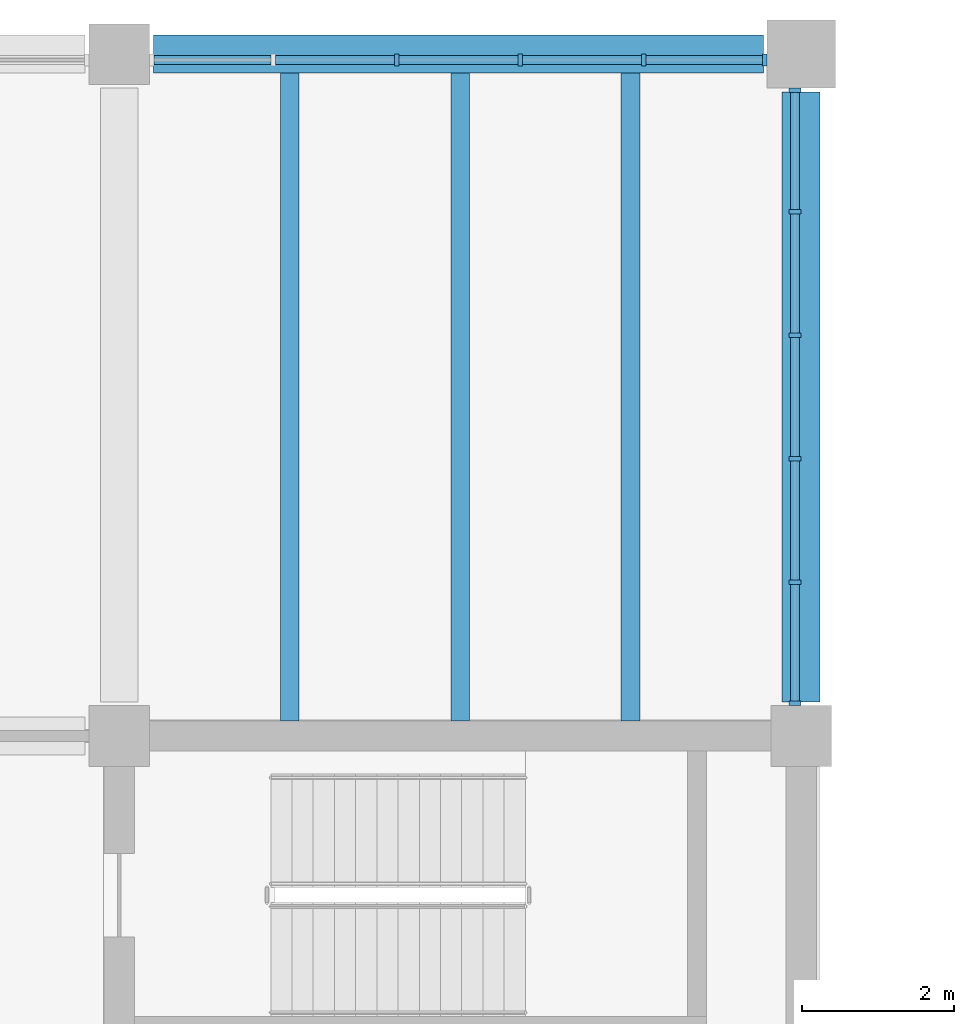
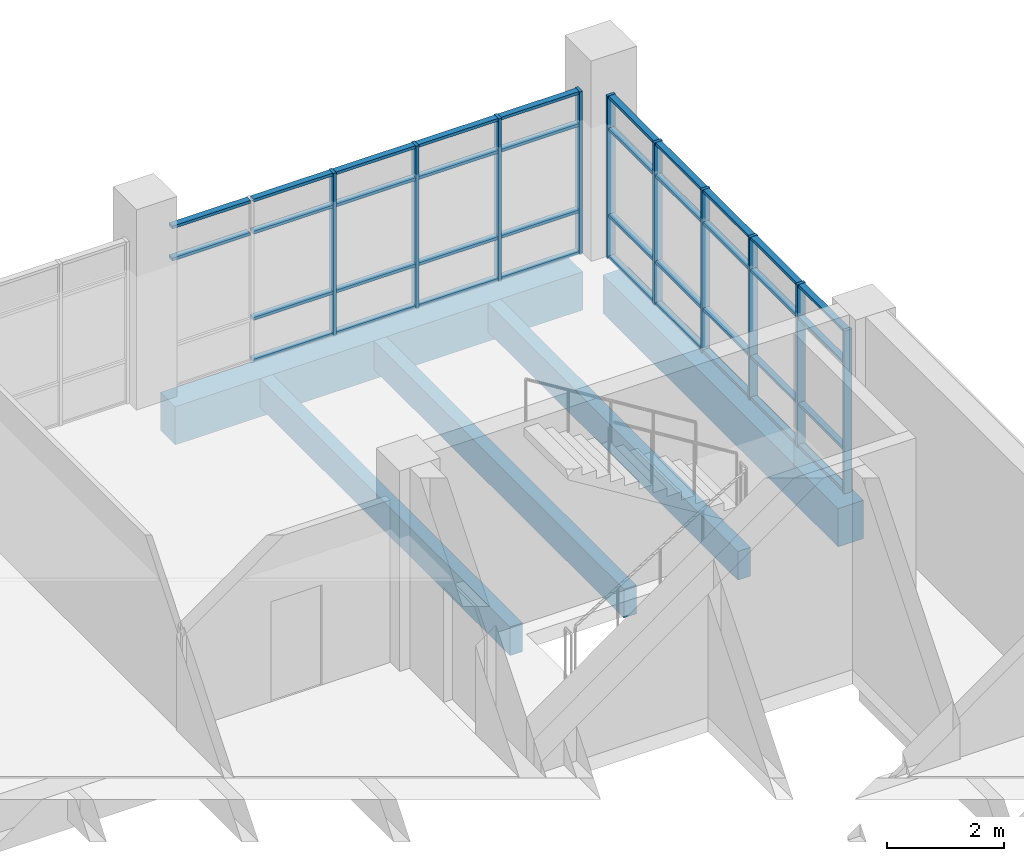
# One storey, part 20 of 50: 48 members, 5 beams, 2 elements without a shape of their own.
"""IFC4 building model written with IfcOpenShell, lengths in metres."""

from ifc_helpers import new_model, si_unit, direction, frame, origin, origin_2d, place, context, subcontext, project, spatial, rectangle, extrude, material, material_profile, profile_set, type_object, element, aggregate, save


model = new_model("IFC4")

# Units and contexts
model_context = context("Model", 3, precision=1e-05, world=origin(), true_north=direction((0.0, 1.0)))
body_context = subcontext(model_context, "Body", "Model", "MODEL_VIEW")
ifc_project = project(units=[si_unit("LENGTHUNIT", "METRE"), si_unit("AREAUNIT", "SQUARE_METRE"), si_unit("VOLUMEUNIT", "CUBIC_METRE"), si_unit("PLANEANGLEUNIT", "RADIAN"), si_unit("MASSUNIT", "GRAM", prefix="KILO")], contexts=[model_context])

# Site, building, storey
site_placement = place(None, origin())
site = spatial("IfcSite", under=ifc_project, at=site_placement, CompositionType="ELEMENT")
building_placement = place(site_placement, origin())
building = spatial("IfcBuilding", under=site, at=building_placement, Name="Merrow Basin Faculty of Sciences", CompositionType="ELEMENT")
storey_placement = place(building_placement, frame((0.0, 0.0, 18.0)))
storey = spatial("IfcBuildingStorey", under=building, at=storey_placement, Name="L04", CompositionType="ELEMENT", Elevation=18.0)

# Curtain wall, members
ifc_material_1 = material(Name="Aluminium alloy 6063", Category="aluminium")
curtain_wall_type = type_object("IfcCurtainWallType", Name="Unitised curtain wall 160", PredefinedType="NOTDEFINED", material=ifc_material_1)
curtain_wall_1_placement = place(storey_placement, origin())
curtain_wall_1 = element("IfcCurtainWall", 1, at=curtain_wall_1_placement, inside=storey, type_object=curtain_wall_type, Name="N curtain wall L04 7", PredefinedType="NOTDEFINED")
ifc_material_2 = material(Name="Aluminium alloy 6063", Category="aluminium")
ifc_material_profile_1 = material_profile(ifc_material_2, rectangle(XDim=0.159912109375, YDim=0.06005859375, at=origin_2d()))
ifc_profile_set_1 = profile_set([ifc_material_profile_1], Name="Aluminium alloy 6063")
member_type_1 = type_object("IfcMemberType", Name="Aluminium mullion 60x160", PredefinedType="MULLION", material=ifc_profile_set_1)
member_1_placement = place(storey_placement, frame((48.659912109375, 168.919921875, 0.0), z_axis=(0.0, 0.0, 1.0), x_axis=(0.0, 1.0, 0.0)))
member_1 = element("IfcMember", 2, at=member_1_placement, type_object=member_type_1, Name="CW3 mullion 3", PredefinedType="MULLION", context=body_context, shape_type="SweptSolid", body=[
    extrude(rectangle(XDim=0.159912109375, YDim=0.06005859375, at=origin_2d()), origin(), (0.0, 0.0, 1.0), 3.39990234375),
])
member_2_placement = place(storey_placement, frame((50.2900390625, 168.919921875, 0.0), z_axis=(0.0, 0.0, 1.0), x_axis=(0.0, 1.0, 0.0)))
member_2 = element("IfcMember", 3, at=member_2_placement, type_object=member_type_1, Name="CW3 mullion 4", PredefinedType="MULLION", context=body_context, shape_type="SweptSolid", body=[
    extrude(rectangle(XDim=0.159912109375, YDim=0.06005859375, at=origin_2d()), origin(), (0.0, 0.0, 1.0), 3.39990234375),
])
member_3_placement = place(storey_placement, frame((51.919921875, 168.919921875, 0.0), z_axis=(0.0, 0.0, 1.0), x_axis=(0.0, 1.0, 0.0)))
member_3 = element("IfcMember", 4, at=member_3_placement, type_object=member_type_1, Name="CW3 mullion 5", PredefinedType="MULLION", context=body_context, shape_type="SweptSolid", body=[
    extrude(rectangle(XDim=0.159912109375, YDim=0.06005859375, at=origin_2d()), origin(), (0.0, 0.0, 1.0), 3.39990234375),
])
member_4_placement = place(storey_placement, frame((53.52001953125, 168.919921875, 0.0), z_axis=(0.0, 0.0, 1.0), x_axis=(0.0, 1.0, 0.0)))
member_4 = element("IfcMember", 5, at=member_4_placement, type_object=member_type_1, Name="CW3 mullion 6", PredefinedType="MULLION", context=body_context, shape_type="SweptSolid", body=[
    extrude(rectangle(XDim=0.159912109375, YDim=0.06005859375, at=origin_2d()), origin(), (0.0, 0.0, 1.0), 3.39990234375),
])

curtain_wall_2_placement = place(storey_placement, origin())
curtain_wall_2 = element("IfcCurtainWall", 6, at=curtain_wall_2_placement, inside=storey, type_object=curtain_wall_type, Name="E curtain wall L04 1", PredefinedType="NOTDEFINED")
member_5_placement = place(storey_placement, frame((53.919921875, 160.429931640625, 0.0), z_axis=(0.0, 0.0, 1.0), x_axis=(-1.0, 0.0, 0.0)))
member_5 = element("IfcMember", 7, at=member_5_placement, type_object=member_type_1, Name="CW3 mullion 1", PredefinedType="MULLION", context=body_context, shape_type="SweptSolid", body=[
    extrude(rectangle(XDim=0.159912109375, YDim=0.06005859375, at=origin_2d()), origin(), (0.0, 0.0, 1.0), 3.39990234375),
])
member_6_placement = place(storey_placement, frame((53.919921875, 162.030029296875, 0.0), z_axis=(0.0, 0.0, 1.0), x_axis=(-1.0, 0.0, 0.0)))
member_6 = element("IfcMember", 8, at=member_6_placement, type_object=member_type_1, Name="CW3 mullion 2", PredefinedType="MULLION", context=body_context, shape_type="SweptSolid", body=[
    extrude(rectangle(XDim=0.159912109375, YDim=0.06005859375, at=origin_2d()), origin(), (0.0, 0.0, 1.0), 3.39990234375),
])
member_7_placement = place(storey_placement, frame((53.919921875, 163.659912109375, 0.0), z_axis=(0.0, 0.0, 1.0), x_axis=(-1.0, 0.0, 0.0)))
member_7 = element("IfcMember", 9, at=member_7_placement, type_object=member_type_1, Name="CW3 mullion 3", PredefinedType="MULLION", context=body_context, shape_type="SweptSolid", body=[
    extrude(rectangle(XDim=0.159912109375, YDim=0.06005859375, at=origin_2d()), origin(), (0.0, 0.0, 1.0), 3.39990234375),
])
member_8_placement = place(storey_placement, frame((53.919921875, 165.2900390625, 0.0), z_axis=(0.0, 0.0, 1.0), x_axis=(-1.0, 0.0, 0.0)))
member_8 = element("IfcMember", 10, at=member_8_placement, type_object=member_type_1, Name="CW3 mullion 4", PredefinedType="MULLION", context=body_context, shape_type="SweptSolid", body=[
    extrude(rectangle(XDim=0.159912109375, YDim=0.06005859375, at=origin_2d()), origin(), (0.0, 0.0, 1.0), 3.39990234375),
])
member_9_placement = place(storey_placement, frame((53.919921875, 166.919921875, 0.0), z_axis=(0.0, 0.0, 1.0), x_axis=(-1.0, 0.0, 0.0)))
member_9 = element("IfcMember", 11, at=member_9_placement, type_object=member_type_1, Name="CW3 mullion 5", PredefinedType="MULLION", context=body_context, shape_type="SweptSolid", body=[
    extrude(rectangle(XDim=0.159912109375, YDim=0.06005859375, at=origin_2d()), origin(), (0.0, 0.0, 1.0), 3.39990234375),
])
member_10_placement = place(storey_placement, frame((53.919921875, 168.52001953125, 0.0), z_axis=(0.0, 0.0, 1.0), x_axis=(-1.0, 0.0, 0.0)))
member_10 = element("IfcMember", 12, at=member_10_placement, type_object=member_type_1, Name="CW3 mullion 6", PredefinedType="MULLION", context=body_context, shape_type="SweptSolid", body=[
    extrude(rectangle(XDim=0.159912109375, YDim=0.06005859375, at=origin_2d()), origin(), (0.0, 0.0, 1.0), 3.39990234375),
])

# Member
ifc_material_3 = material(Name="Aluminium alloy 6063", Category="aluminium")
ifc_material_profile_2 = material_profile(ifc_material_3, rectangle(XDim=0.1201171875, YDim=0.06005859375, at=origin_2d()))
ifc_profile_set_2 = profile_set([ifc_material_profile_2], Name="Aluminium alloy 6063")
member_type_2 = type_object("IfcMemberType", Name="Aluminium transom 60x120", PredefinedType="USERDEFINED", material=ifc_profile_set_2)
member_11_placement = place(storey_placement, frame((45.4599609375, 168.919921875, 2.699951171875), z_axis=(1.0, 0.0, 0.0), x_axis=(0.0, 1.0, 0.0)))
member_11 = element("IfcMember", 13, at=member_11_placement, type_object=member_type_2, Name="CW3 transom 1.3", ObjectType="TRANSOM", PredefinedType="USERDEFINED", context=body_context, shape_type="SweptSolid", body=[
    extrude(rectangle(XDim=0.1201171875, YDim=0.06005859375, at=origin_2d()), origin(), (0.0, 0.0, 1.0), 1.5400390625),
])

member_12_placement = place(storey_placement, frame((45.4599609375, 168.919921875, 3.3701171875), z_axis=(1.0, 0.0, 0.0), x_axis=(0.0, 1.0, 0.0)))
member_12 = element("IfcMember", 14, at=member_12_placement, type_object=member_type_2, Name="CW3 transom 1.4", ObjectType="TRANSOM", PredefinedType="USERDEFINED", context=body_context, shape_type="SweptSolid", body=[
    extrude(rectangle(XDim=0.1201171875, YDim=0.06005859375, at=origin_2d()), origin(), (0.0, 0.0, 1.0), 1.5400390625),
])

member_13_placement = place(storey_placement, frame((47.06005859375, 168.919921875, 0.030029296875), z_axis=(1.0, 0.0, 0.0), x_axis=(0.0, 1.0, 0.0)))
member_13 = element("IfcMember", 15, at=member_13_placement, type_object=member_type_2, Name="CW3 transom 2.1", ObjectType="TRANSOM", PredefinedType="USERDEFINED", context=body_context, shape_type="SweptSolid", body=[
    extrude(rectangle(XDim=0.1201171875, YDim=0.06005859375, at=origin_2d()), origin(), (0.0, 0.0, 1.0), 1.56982421875),
])

member_14_placement = place(storey_placement, frame((47.06005859375, 168.919921875, 0.89990234375), z_axis=(1.0, 0.0, 0.0), x_axis=(0.0, 1.0, 0.0)))
member_14 = element("IfcMember", 16, at=member_14_placement, type_object=member_type_2, Name="CW3 transom 2.2", ObjectType="TRANSOM", PredefinedType="USERDEFINED", context=body_context, shape_type="SweptSolid", body=[
    extrude(rectangle(XDim=0.1201171875, YDim=0.06005859375, at=origin_2d()), origin(), (0.0, 0.0, 1.0), 1.56982421875),
])

member_15_placement = place(storey_placement, frame((47.06005859375, 168.919921875, 2.699951171875), z_axis=(1.0, 0.0, 0.0), x_axis=(0.0, 1.0, 0.0)))
member_15 = element("IfcMember", 17, at=member_15_placement, type_object=member_type_2, Name="CW3 transom 2.3", ObjectType="TRANSOM", PredefinedType="USERDEFINED", context=body_context, shape_type="SweptSolid", body=[
    extrude(rectangle(XDim=0.1201171875, YDim=0.06005859375, at=origin_2d()), origin(), (0.0, 0.0, 1.0), 1.56982421875),
])

member_16_placement = place(storey_placement, frame((47.06005859375, 168.919921875, 3.3701171875), z_axis=(1.0, 0.0, 0.0), x_axis=(0.0, 1.0, 0.0)))
member_16 = element("IfcMember", 18, at=member_16_placement, type_object=member_type_2, Name="CW3 transom 2.4", ObjectType="TRANSOM", PredefinedType="USERDEFINED", context=body_context, shape_type="SweptSolid", body=[
    extrude(rectangle(XDim=0.1201171875, YDim=0.06005859375, at=origin_2d()), origin(), (0.0, 0.0, 1.0), 1.56982421875),
])

member_17_placement = place(storey_placement, frame((48.68994140625, 168.919921875, 0.030029296875), z_axis=(1.0, 0.0, 0.0), x_axis=(0.0, 1.0, 0.0)))
member_17 = element("IfcMember", 19, at=member_17_placement, type_object=member_type_2, Name="CW3 transom 3.1", ObjectType="TRANSOM", PredefinedType="USERDEFINED", context=body_context, shape_type="SweptSolid", body=[
    extrude(rectangle(XDim=0.1201171875, YDim=0.06005859375, at=origin_2d()), origin(), (0.0, 0.0, 1.0), 1.570068359375),
])

member_18_placement = place(storey_placement, frame((48.68994140625, 168.919921875, 0.89990234375), z_axis=(1.0, 0.0, 0.0), x_axis=(0.0, 1.0, 0.0)))
member_18 = element("IfcMember", 20, at=member_18_placement, type_object=member_type_2, Name="CW3 transom 3.2", ObjectType="TRANSOM", PredefinedType="USERDEFINED", context=body_context, shape_type="SweptSolid", body=[
    extrude(rectangle(XDim=0.1201171875, YDim=0.06005859375, at=origin_2d()), origin(), (0.0, 0.0, 1.0), 1.570068359375),
])

member_19_placement = place(storey_placement, frame((48.68994140625, 168.919921875, 2.699951171875), z_axis=(1.0, 0.0, 0.0), x_axis=(0.0, 1.0, 0.0)))
member_19 = element("IfcMember", 21, at=member_19_placement, type_object=member_type_2, Name="CW3 transom 3.3", ObjectType="TRANSOM", PredefinedType="USERDEFINED", context=body_context, shape_type="SweptSolid", body=[
    extrude(rectangle(XDim=0.1201171875, YDim=0.06005859375, at=origin_2d()), origin(), (0.0, 0.0, 1.0), 1.570068359375),
])

member_20_placement = place(storey_placement, frame((48.68994140625, 168.919921875, 3.3701171875), z_axis=(1.0, 0.0, 0.0), x_axis=(0.0, 1.0, 0.0)))
member_20 = element("IfcMember", 22, at=member_20_placement, type_object=member_type_2, Name="CW3 transom 3.4", ObjectType="TRANSOM", PredefinedType="USERDEFINED", context=body_context, shape_type="SweptSolid", body=[
    extrude(rectangle(XDim=0.1201171875, YDim=0.06005859375, at=origin_2d()), origin(), (0.0, 0.0, 1.0), 1.570068359375),
])

member_21_placement = place(storey_placement, frame((50.320068359375, 168.919921875, 0.030029296875), z_axis=(1.0, 0.0, 0.0), x_axis=(0.0, 1.0, 0.0)))
member_21 = element("IfcMember", 23, at=member_21_placement, type_object=member_type_2, Name="CW3 transom 4.1", ObjectType="TRANSOM", PredefinedType="USERDEFINED", context=body_context, shape_type="SweptSolid", body=[
    extrude(rectangle(XDim=0.1201171875, YDim=0.06005859375, at=origin_2d()), origin(), (0.0, 0.0, 1.0), 1.56982421875),
])

member_22_placement = place(storey_placement, frame((50.320068359375, 168.919921875, 0.89990234375), z_axis=(1.0, 0.0, 0.0), x_axis=(0.0, 1.0, 0.0)))
member_22 = element("IfcMember", 24, at=member_22_placement, type_object=member_type_2, Name="CW3 transom 4.2", ObjectType="TRANSOM", PredefinedType="USERDEFINED", context=body_context, shape_type="SweptSolid", body=[
    extrude(rectangle(XDim=0.1201171875, YDim=0.06005859375, at=origin_2d()), origin(), (0.0, 0.0, 1.0), 1.56982421875),
])

member_23_placement = place(storey_placement, frame((50.320068359375, 168.919921875, 2.699951171875), z_axis=(1.0, 0.0, 0.0), x_axis=(0.0, 1.0, 0.0)))
member_23 = element("IfcMember", 25, at=member_23_placement, type_object=member_type_2, Name="CW3 transom 4.3", ObjectType="TRANSOM", PredefinedType="USERDEFINED", context=body_context, shape_type="SweptSolid", body=[
    extrude(rectangle(XDim=0.1201171875, YDim=0.06005859375, at=origin_2d()), origin(), (0.0, 0.0, 1.0), 1.56982421875),
])

member_24_placement = place(storey_placement, frame((50.320068359375, 168.919921875, 3.3701171875), z_axis=(1.0, 0.0, 0.0), x_axis=(0.0, 1.0, 0.0)))
member_24 = element("IfcMember", 26, at=member_24_placement, type_object=member_type_2, Name="CW3 transom 4.4", ObjectType="TRANSOM", PredefinedType="USERDEFINED", context=body_context, shape_type="SweptSolid", body=[
    extrude(rectangle(XDim=0.1201171875, YDim=0.06005859375, at=origin_2d()), origin(), (0.0, 0.0, 1.0), 1.56982421875),
])

member_25_placement = place(storey_placement, frame((51.949951171875, 168.919921875, 0.030029296875), z_axis=(1.0, 0.0, 0.0), x_axis=(0.0, 1.0, 0.0)))
member_25 = element("IfcMember", 27, at=member_25_placement, type_object=member_type_2, Name="CW3 transom 5.1", ObjectType="TRANSOM", PredefinedType="USERDEFINED", context=body_context, shape_type="SweptSolid", body=[
    extrude(rectangle(XDim=0.1201171875, YDim=0.06005859375, at=origin_2d()), origin(), (0.0, 0.0, 1.0), 1.5400390625),
])

member_26_placement = place(storey_placement, frame((51.949951171875, 168.919921875, 0.89990234375), z_axis=(1.0, 0.0, 0.0), x_axis=(0.0, 1.0, 0.0)))
member_26 = element("IfcMember", 28, at=member_26_placement, type_object=member_type_2, Name="CW3 transom 5.2", ObjectType="TRANSOM", PredefinedType="USERDEFINED", context=body_context, shape_type="SweptSolid", body=[
    extrude(rectangle(XDim=0.1201171875, YDim=0.06005859375, at=origin_2d()), origin(), (0.0, 0.0, 1.0), 1.5400390625),
])

member_27_placement = place(storey_placement, frame((51.949951171875, 168.919921875, 2.699951171875), z_axis=(1.0, 0.0, 0.0), x_axis=(0.0, 1.0, 0.0)))
member_27 = element("IfcMember", 29, at=member_27_placement, type_object=member_type_2, Name="CW3 transom 5.3", ObjectType="TRANSOM", PredefinedType="USERDEFINED", context=body_context, shape_type="SweptSolid", body=[
    extrude(rectangle(XDim=0.1201171875, YDim=0.06005859375, at=origin_2d()), origin(), (0.0, 0.0, 1.0), 1.5400390625),
])

member_28_placement = place(storey_placement, frame((51.949951171875, 168.919921875, 3.3701171875), z_axis=(1.0, 0.0, 0.0), x_axis=(0.0, 1.0, 0.0)))
member_28 = element("IfcMember", 30, at=member_28_placement, type_object=member_type_2, Name="CW3 transom 5.4", ObjectType="TRANSOM", PredefinedType="USERDEFINED", context=body_context, shape_type="SweptSolid", body=[
    extrude(rectangle(XDim=0.1201171875, YDim=0.06005859375, at=origin_2d()), origin(), (0.0, 0.0, 1.0), 1.5400390625),
])

aggregate(curtain_wall_1, [member_1, member_2, member_3, member_4, member_11, member_12, member_13, member_14, member_15, member_16, member_17, member_18, member_19, member_20, member_21, member_22, member_23, member_24, member_25, member_26, member_27, member_28])

member_29_placement = place(storey_placement, frame((53.919921875, 160.4599609375, 0.030029296875), z_axis=(0.0, 1.0, 0.0), x_axis=(-1.0, 0.0, 0.0)))
member_29 = element("IfcMember", 31, at=member_29_placement, type_object=member_type_2, Name="CW3 transom 1.1", ObjectType="TRANSOM", PredefinedType="USERDEFINED", context=body_context, shape_type="SweptSolid", body=[
    extrude(rectangle(XDim=0.1201171875, YDim=0.06005859375, at=origin_2d()), origin(), (0.0, 0.0, 1.0), 1.5400390625),
])

member_30_placement = place(storey_placement, frame((53.919921875, 160.4599609375, 0.89990234375), z_axis=(0.0, 1.0, 0.0), x_axis=(-1.0, 0.0, 0.0)))
member_30 = element("IfcMember", 32, at=member_30_placement, type_object=member_type_2, Name="CW3 transom 1.2", ObjectType="TRANSOM", PredefinedType="USERDEFINED", context=body_context, shape_type="SweptSolid", body=[
    extrude(rectangle(XDim=0.1201171875, YDim=0.06005859375, at=origin_2d()), origin(), (0.0, 0.0, 1.0), 1.5400390625),
])

member_31_placement = place(storey_placement, frame((53.919921875, 160.4599609375, 2.699951171875), z_axis=(0.0, 1.0, 0.0), x_axis=(-1.0, 0.0, 0.0)))
member_31 = element("IfcMember", 33, at=member_31_placement, type_object=member_type_2, Name="CW3 transom 1.3", ObjectType="TRANSOM", PredefinedType="USERDEFINED", context=body_context, shape_type="SweptSolid", body=[
    extrude(rectangle(XDim=0.1201171875, YDim=0.06005859375, at=origin_2d()), origin(), (0.0, 0.0, 1.0), 1.5400390625),
])

member_32_placement = place(storey_placement, frame((53.919921875, 160.4599609375, 3.3701171875), z_axis=(0.0, 1.0, 0.0), x_axis=(-1.0, 0.0, 0.0)))
member_32 = element("IfcMember", 34, at=member_32_placement, type_object=member_type_2, Name="CW3 transom 1.4", ObjectType="TRANSOM", PredefinedType="USERDEFINED", context=body_context, shape_type="SweptSolid", body=[
    extrude(rectangle(XDim=0.1201171875, YDim=0.06005859375, at=origin_2d()), origin(), (0.0, 0.0, 1.0), 1.5400390625),
])

member_33_placement = place(storey_placement, frame((53.919921875, 162.06005859375, 0.030029296875), z_axis=(0.0, 1.0, 0.0), x_axis=(-1.0, 0.0, 0.0)))
member_33 = element("IfcMember", 35, at=member_33_placement, type_object=member_type_2, Name="CW3 transom 2.1", ObjectType="TRANSOM", PredefinedType="USERDEFINED", context=body_context, shape_type="SweptSolid", body=[
    extrude(rectangle(XDim=0.1201171875, YDim=0.06005859375, at=origin_2d()), origin(), (0.0, 0.0, 1.0), 1.56982421875),
])

member_34_placement = place(storey_placement, frame((53.919921875, 162.06005859375, 0.89990234375), z_axis=(0.0, 1.0, 0.0), x_axis=(-1.0, 0.0, 0.0)))
member_34 = element("IfcMember", 36, at=member_34_placement, type_object=member_type_2, Name="CW3 transom 2.2", ObjectType="TRANSOM", PredefinedType="USERDEFINED", context=body_context, shape_type="SweptSolid", body=[
    extrude(rectangle(XDim=0.1201171875, YDim=0.06005859375, at=origin_2d()), origin(), (0.0, 0.0, 1.0), 1.56982421875),
])

member_35_placement = place(storey_placement, frame((53.919921875, 162.06005859375, 2.699951171875), z_axis=(0.0, 1.0, 0.0), x_axis=(-1.0, 0.0, 0.0)))
member_35 = element("IfcMember", 37, at=member_35_placement, type_object=member_type_2, Name="CW3 transom 2.3", ObjectType="TRANSOM", PredefinedType="USERDEFINED", context=body_context, shape_type="SweptSolid", body=[
    extrude(rectangle(XDim=0.1201171875, YDim=0.06005859375, at=origin_2d()), origin(), (0.0, 0.0, 1.0), 1.56982421875),
])

member_36_placement = place(storey_placement, frame((53.919921875, 162.06005859375, 3.3701171875), z_axis=(0.0, 1.0, 0.0), x_axis=(-1.0, 0.0, 0.0)))
member_36 = element("IfcMember", 38, at=member_36_placement, type_object=member_type_2, Name="CW3 transom 2.4", ObjectType="TRANSOM", PredefinedType="USERDEFINED", context=body_context, shape_type="SweptSolid", body=[
    extrude(rectangle(XDim=0.1201171875, YDim=0.06005859375, at=origin_2d()), origin(), (0.0, 0.0, 1.0), 1.56982421875),
])

member_37_placement = place(storey_placement, frame((53.919921875, 163.68994140625, 0.030029296875), z_axis=(0.0, 1.0, 0.0), x_axis=(-1.0, 0.0, 0.0)))
member_37 = element("IfcMember", 39, at=member_37_placement, type_object=member_type_2, Name="CW3 transom 3.1", ObjectType="TRANSOM", PredefinedType="USERDEFINED", context=body_context, shape_type="SweptSolid", body=[
    extrude(rectangle(XDim=0.1201171875, YDim=0.06005859375, at=origin_2d()), origin(), (0.0, 0.0, 1.0), 1.570068359375),
])

member_38_placement = place(storey_placement, frame((53.919921875, 163.68994140625, 0.89990234375), z_axis=(0.0, 1.0, 0.0), x_axis=(-1.0, 0.0, 0.0)))
member_38 = element("IfcMember", 40, at=member_38_placement, type_object=member_type_2, Name="CW3 transom 3.2", ObjectType="TRANSOM", PredefinedType="USERDEFINED", context=body_context, shape_type="SweptSolid", body=[
    extrude(rectangle(XDim=0.1201171875, YDim=0.06005859375, at=origin_2d()), origin(), (0.0, 0.0, 1.0), 1.570068359375),
])

member_39_placement = place(storey_placement, frame((53.919921875, 163.68994140625, 2.699951171875), z_axis=(0.0, 1.0, 0.0), x_axis=(-1.0, 0.0, 0.0)))
member_39 = element("IfcMember", 41, at=member_39_placement, type_object=member_type_2, Name="CW3 transom 3.3", ObjectType="TRANSOM", PredefinedType="USERDEFINED", context=body_context, shape_type="SweptSolid", body=[
    extrude(rectangle(XDim=0.1201171875, YDim=0.06005859375, at=origin_2d()), origin(), (0.0, 0.0, 1.0), 1.570068359375),
])

member_40_placement = place(storey_placement, frame((53.919921875, 163.68994140625, 3.3701171875), z_axis=(0.0, 1.0, 0.0), x_axis=(-1.0, 0.0, 0.0)))
member_40 = element("IfcMember", 42, at=member_40_placement, type_object=member_type_2, Name="CW3 transom 3.4", ObjectType="TRANSOM", PredefinedType="USERDEFINED", context=body_context, shape_type="SweptSolid", body=[
    extrude(rectangle(XDim=0.1201171875, YDim=0.06005859375, at=origin_2d()), origin(), (0.0, 0.0, 1.0), 1.570068359375),
])

member_41_placement = place(storey_placement, frame((53.919921875, 165.320068359375, 0.030029296875), z_axis=(0.0, 1.0, 0.0), x_axis=(-1.0, 0.0, 0.0)))
member_41 = element("IfcMember", 43, at=member_41_placement, type_object=member_type_2, Name="CW3 transom 4.1", ObjectType="TRANSOM", PredefinedType="USERDEFINED", context=body_context, shape_type="SweptSolid", body=[
    extrude(rectangle(XDim=0.1201171875, YDim=0.06005859375, at=origin_2d()), origin(), (0.0, 0.0, 1.0), 1.56982421875),
])

member_42_placement = place(storey_placement, frame((53.919921875, 165.320068359375, 0.89990234375), z_axis=(0.0, 1.0, 0.0), x_axis=(-1.0, 0.0, 0.0)))
member_42 = element("IfcMember", 44, at=member_42_placement, type_object=member_type_2, Name="CW3 transom 4.2", ObjectType="TRANSOM", PredefinedType="USERDEFINED", context=body_context, shape_type="SweptSolid", body=[
    extrude(rectangle(XDim=0.1201171875, YDim=0.06005859375, at=origin_2d()), origin(), (0.0, 0.0, 1.0), 1.56982421875),
])

member_43_placement = place(storey_placement, frame((53.919921875, 165.320068359375, 2.699951171875), z_axis=(0.0, 1.0, 0.0), x_axis=(-1.0, 0.0, 0.0)))
member_43 = element("IfcMember", 45, at=member_43_placement, type_object=member_type_2, Name="CW3 transom 4.3", ObjectType="TRANSOM", PredefinedType="USERDEFINED", context=body_context, shape_type="SweptSolid", body=[
    extrude(rectangle(XDim=0.1201171875, YDim=0.06005859375, at=origin_2d()), origin(), (0.0, 0.0, 1.0), 1.56982421875),
])

member_44_placement = place(storey_placement, frame((53.919921875, 165.320068359375, 3.3701171875), z_axis=(0.0, 1.0, 0.0), x_axis=(-1.0, 0.0, 0.0)))
member_44 = element("IfcMember", 46, at=member_44_placement, type_object=member_type_2, Name="CW3 transom 4.4", ObjectType="TRANSOM", PredefinedType="USERDEFINED", context=body_context, shape_type="SweptSolid", body=[
    extrude(rectangle(XDim=0.1201171875, YDim=0.06005859375, at=origin_2d()), origin(), (0.0, 0.0, 1.0), 1.56982421875),
])

member_45_placement = place(storey_placement, frame((53.919921875, 166.949951171875, 0.030029296875), z_axis=(0.0, 1.0, 0.0), x_axis=(-1.0, 0.0, 0.0)))
member_45 = element("IfcMember", 47, at=member_45_placement, type_object=member_type_2, Name="CW3 transom 5.1", ObjectType="TRANSOM", PredefinedType="USERDEFINED", context=body_context, shape_type="SweptSolid", body=[
    extrude(rectangle(XDim=0.1201171875, YDim=0.06005859375, at=origin_2d()), origin(), (0.0, 0.0, 1.0), 1.5400390625),
])

member_46_placement = place(storey_placement, frame((53.919921875, 166.949951171875, 0.89990234375), z_axis=(0.0, 1.0, 0.0), x_axis=(-1.0, 0.0, 0.0)))
member_46 = element("IfcMember", 48, at=member_46_placement, type_object=member_type_2, Name="CW3 transom 5.2", ObjectType="TRANSOM", PredefinedType="USERDEFINED", context=body_context, shape_type="SweptSolid", body=[
    extrude(rectangle(XDim=0.1201171875, YDim=0.06005859375, at=origin_2d()), origin(), (0.0, 0.0, 1.0), 1.5400390625),
])

member_47_placement = place(storey_placement, frame((53.919921875, 166.949951171875, 2.699951171875), z_axis=(0.0, 1.0, 0.0), x_axis=(-1.0, 0.0, 0.0)))
member_47 = element("IfcMember", 49, at=member_47_placement, type_object=member_type_2, Name="CW3 transom 5.3", ObjectType="TRANSOM", PredefinedType="USERDEFINED", context=body_context, shape_type="SweptSolid", body=[
    extrude(rectangle(XDim=0.1201171875, YDim=0.06005859375, at=origin_2d()), origin(), (0.0, 0.0, 1.0), 1.5400390625),
])

member_48_placement = place(storey_placement, frame((53.919921875, 166.949951171875, 3.3701171875), z_axis=(0.0, 1.0, 0.0), x_axis=(-1.0, 0.0, 0.0)))
member_48 = element("IfcMember", 50, at=member_48_placement, type_object=member_type_2, Name="CW3 transom 5.4", ObjectType="TRANSOM", PredefinedType="USERDEFINED", context=body_context, shape_type="SweptSolid", body=[
    extrude(rectangle(XDim=0.1201171875, YDim=0.06005859375, at=origin_2d()), origin(), (0.0, 0.0, 1.0), 1.5400390625),
])

aggregate(curtain_wall_2, [member_5, member_6, member_7, member_8, member_9, member_10, member_29, member_30, member_31, member_32, member_33, member_34, member_35, member_36, member_37, member_38, member_39, member_40, member_41, member_42, member_43, member_44, member_45, member_46, member_47, member_48])

# Beams
ifc_material_4 = material(Name="Concrete C40/50", Category="concrete")
ifc_material_profile_3 = material_profile(ifc_material_4, rectangle(XDim=0.5, YDim=0.800048828125, at=origin_2d()))
ifc_profile_set_3 = profile_set([ifc_material_profile_3], Name="Concrete C40/50")
beam_type_1 = type_object("IfcBeamType", Name="Beam RC500x800 C40/50", PredefinedType="BEAM", material=ifc_profile_set_3)
for number, where, z_axis, x_axis, name in (
    (51, (45.449951171875, 169.0, -0.699951171875), (1.0, 0.0, 0.0), (0.0, 1.0, 0.0), "B4 L04 012"),
    (52, (54.0, 160.449951171875, -0.699951171875), (0.0, 1.0, 0.0), (-1.0, 0.0, 0.0), "B4 L04 021"),
):
    element("IfcBeam", number, at=place(storey_placement, frame(where, z_axis=z_axis, x_axis=x_axis)), inside=storey, type_object=beam_type_1, Name=name, PredefinedType="BEAM", context=body_context, shape_type="SweptSolid", body=[
        extrude(rectangle(XDim=0.5, YDim=0.800048828125, at=origin_2d()), origin(), (0.0, 0.0, 1.0), 8.050048828125),
    ])
ifc_material_5 = material(Name="Concrete C40/50", Category="concrete")
ifc_material_profile_4 = material_profile(ifc_material_5, rectangle(XDim=0.25, YDim=0.60009765625, at=origin_2d()))
ifc_profile_set_4 = profile_set([ifc_material_profile_4], Name="Concrete C40/50")
beam_type_2 = type_object("IfcBeamType", Name="Tower floor joist RC250x600 C40/50", PredefinedType="BEAM", material=ifc_profile_set_4)
for number, where, z_axis, x_axis, name in (
    (53, (47.25, 160.199951171875, -0.60009765625), (0.0, 1.0, 0.0), (-1.0, 0.0, 0.0), "JT1 L04 056"),
    (54, (49.5, 160.199951171875, -0.60009765625), (0.0, 1.0, 0.0), (-1.0, 0.0, 0.0), "JT1 L04 057"),
    (55, (51.75, 160.199951171875, -0.60009765625), (0.0, 1.0, 0.0), (-1.0, 0.0, 0.0), "JT1 L04 058"),
):
    element("IfcBeam", number, at=place(storey_placement, frame(where, z_axis=z_axis, x_axis=x_axis)), inside=storey, type_object=beam_type_2, Name=name, PredefinedType="BEAM", context=body_context, shape_type="SweptSolid", body=[
        extrude(rectangle(XDim=0.25, YDim=0.60009765625, at=origin_2d()), origin(), (0.0, 0.0, 1.0), 8.550048828125),
    ])

save(model, "model.ifc")
